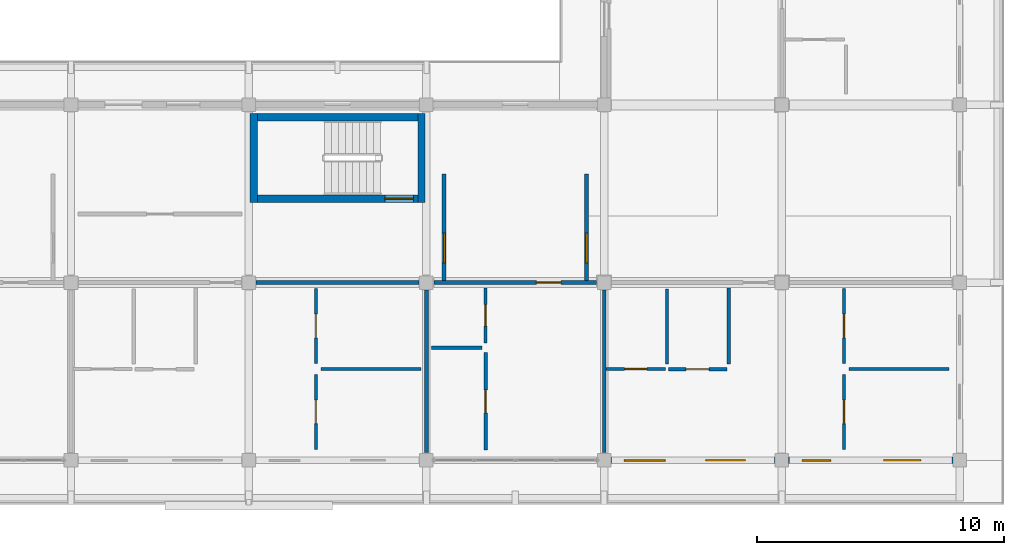
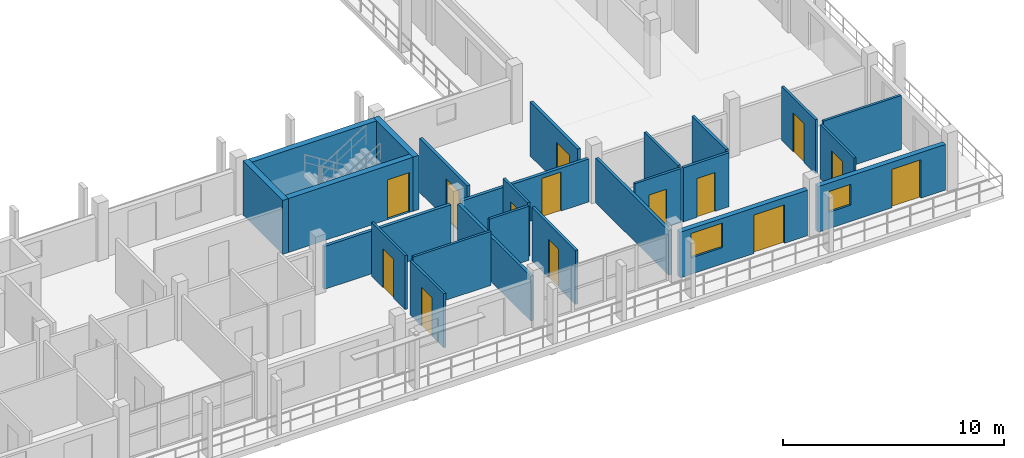
# One storey, part 46 of 73: 25 walls, 14 doors, 2 windows, 16 openings.
"""IFC4 building model written with IfcOpenShell, lengths in metres."""

from ifc_helpers import new_model, si_unit, direction, frame, frame_2d, origin, place, context, subcontext, project, spatial, rectangle, extrude, material, layer, layer_set, type_object, element, fill, save


model = new_model("IFC4")

# Units and contexts
model_context = context("Model", 3, precision=1e-05, world=origin(), true_north=direction((0.0, 1.0)))
body_context = subcontext(model_context, "Body", "Model", "MODEL_VIEW")
ifc_project = project(units=[si_unit("LENGTHUNIT", "METRE"), si_unit("AREAUNIT", "SQUARE_METRE"), si_unit("VOLUMEUNIT", "CUBIC_METRE"), si_unit("PLANEANGLEUNIT", "RADIAN"), si_unit("MASSUNIT", "GRAM", prefix="KILO")], contexts=[model_context])

# Site, building, storey
site_placement = place(None, origin())
site = spatial("IfcSite", under=ifc_project, at=site_placement, CompositionType="ELEMENT")
building_placement = place(site_placement, origin())
building = spatial("IfcBuilding", under=site, at=building_placement, Name="Suanplinth Sawtooth Commons", CompositionType="ELEMENT")
storey_placement = place(building_placement, frame((0.0, 0.0, 21.89990234375)))
storey = spatial("IfcBuildingStorey", under=building, at=storey_placement, Name="L06", CompositionType="ELEMENT", Elevation=21.89990234375)

# Wall, opening, door
ifc_material_1 = material(Name="Concrete C40/50", Category="concrete")
ifc_layer_1 = layer(ifc_material_1, 0.300048828125, Name="Standard RC stair and lift core wall 300mm")
ifc_layer_set_1 = layer_set([ifc_layer_1], Name="Concrete C40/50")
wall_type_1 = type_object("IfcWallType", Name="W-CR02", PredefinedType="SHEAR", material=ifc_layer_set_1)
wall_1_placement = place(storey_placement, frame((158.75, 10.60009765625, 0.0), z_axis=(0.0, 0.0, 1.0), x_axis=(1.0, 0.0, 0.0)))
wall_1 = element("IfcWall", 1, at=wall_1_placement, inside=storey, type_object=wall_type_1, Name="W-L06-C-C2-STS", PredefinedType="SHEAR", context=body_context, shape_type="SweptSolid", body=[
    extrude(rectangle(XDim=6.5, YDim=0.300048828125, at=frame_2d((3.25, 0.0))), origin(), (0.0, 0.0, 1.0), 2.97998046875),
])
opening_1_placement = place(wall_1_placement, frame((5.169921875, 0.0, 0.0)))
opening_1 = element("IfcOpeningElement", 2, at=opening_1_placement, cuts=wall_1, Name="Opening FD0342", PredefinedType="OPENING", context=body_context, shape_type="SweptSolid", body=[
    extrude(rectangle(XDim=1.14990234375, YDim=2.199951171875, at=frame_2d((0.574951171875, 1.10009765625))), frame((0.0, 0.1650390625, 0.0), z_axis=(0.0, -1.0, 0.0), x_axis=(1.0, 0.0, 0.0)), (0.0, 0.0, 1.0), 0.329833984375),
])
ifc_material_2 = material(Name="Teak hardwood fire-rated door assembly", Category="wood")
door_type_1 = type_object("IfcDoorType", Name="FD-01", OperationType="NOTDEFINED", PredefinedType="DOOR", material=ifc_material_2)
door_1_placement = place(opening_1_placement, origin())
door_1 = element("IfcDoor", 3, at=door_1_placement, inside=storey, type_object=door_type_1, Name="Exit Stair Fire Door FD0342", OperationType="SINGLE_SWING_LEFT", OverallHeight=2.199951171875, OverallWidth=1.14990234375, PredefinedType="DOOR", context=body_context, shape_type="SweptSolid", body=[
    extrude(rectangle(XDim=1.14990234375, YDim=2.199951171875, at=frame_2d((0.574951171875, 1.10009765625))), frame((0.0, 0.02490234375, 0.0), z_axis=(0.0, -1.0, 0.0), x_axis=(1.0, 0.0, 0.0)), (0.0, 0.0, 1.0), 0.050048828125),
])
fill(opening_1, door_1)

# Walls
wall_2_placement = place(storey_placement, frame((158.75, 13.89990234375, 0.0), z_axis=(0.0, 0.0, 1.0), x_axis=(1.0, 0.0, 0.0)))
element("IfcWall", 4, at=wall_2_placement, inside=storey, type_object=wall_type_1, Name="W-L06-C-C2-STN", PredefinedType="SHEAR", context=body_context, shape_type="SweptSolid", body=[
    extrude(rectangle(XDim=6.5, YDim=0.300048828125, at=frame_2d((3.25, 0.0))), origin(), (0.0, 0.0, 1.0), 2.97998046875),
])
for number, where, z_axis, x_axis, name in (
    (5, (158.60009765625, 10.449951171875, 0.0), (0.0, 0.0, 1.0), (0.0, 1.0, 0.0), "W-L06-C-C2-STW"),
    (6, (165.39990234375, 10.449951171875, 0.0), (0.0, 0.0, 1.0), (0.0, 1.0, 0.0), "W-L06-C-C2-STE"),
):
    element("IfcWall", number, at=place(storey_placement, frame(where, z_axis=z_axis, x_axis=x_axis)), inside=storey, type_object=wall_type_1, Name=name, PredefinedType="SHEAR", context=body_context, shape_type="SweptSolid", body=[
        extrude(rectangle(XDim=3.60009765625, YDim=0.300048828125, at=frame_2d((1.800048828125, 0.0))), origin(), (0.0, 0.0, 1.0), 2.97998046875),
    ])

# Wall, openings, door, window
ifc_material_3 = material(Name="Precast concrete C40/50", Category="concrete")
ifc_layer_2 = layer(ifc_material_3, 0.260009765625, Name="Insulated precast courtyard facade wall 260mm")
ifc_layer_set_2 = layer_set([ifc_layer_2], Name="Precast concrete C40/50")
wall_type_2 = type_object("IfcWallType", Name="W-EX02", PredefinedType="ELEMENTEDWALL", material=ifc_layer_set_2)
wall_3_placement = place(storey_placement, frame((173.074951171875, 0.0, 0.0), z_axis=(0.0, 0.0, 1.0), x_axis=(1.0, 0.0, 0.0)))
wall_3 = element("IfcWall", 7, at=wall_3_placement, inside=storey, type_object=wall_type_2, Name="Facade Wall W-L06-C-S-24-0", PredefinedType="ELEMENTEDWALL", context=body_context, shape_type="SweptSolid", body=[
    extrude(rectangle(XDim=6.650146484375, YDim=0.260009765625, at=frame_2d((3.3251953125, 0.0))), origin(), (0.0, 0.0, 1.0), 2.51513671875),
])
opening_2_placement = place(wall_3_placement, frame((3.85009765625, 0.0, 0.0)))
opening_2 = element("IfcOpeningElement", 8, at=opening_2_placement, cuts=wall_3, Name="Opening ED0524", PredefinedType="OPENING", context=body_context, shape_type="SweptSolid", body=[
    extrude(rectangle(XDim=1.60009765625, YDim=2.1201171875, at=frame_2d((0.800048828125, 1.06005859375))), frame((0.0, 0.14501953125, 0.0), z_axis=(0.0, -1.0, 0.0), x_axis=(1.0, 0.0, 0.0)), (0.0, 0.0, 1.0), 0.289794921875),
])
opening_3_placement = place(wall_3_placement, frame((0.550048828125, 0.0, 0.89990234375)))
opening_3 = element("IfcOpeningElement", 9, at=opening_3_placement, cuts=wall_3, Name="Opening W0614", PredefinedType="OPENING", context=body_context, shape_type="SweptSolid", body=[
    extrude(rectangle(XDim=1.64990234375, YDim=1.35009765625, at=frame_2d((0.824951171875, 0.675048828125))), frame((0.0, 0.14501953125, 0.0), z_axis=(0.0, -1.0, 0.0), x_axis=(1.0, 0.0, 0.0)), (0.0, 0.0, 1.0), 0.289794921875),
])
ifc_material_4 = material(Name="Anodized aluminium and low-E glass", Category="aluminium")
door_type_2 = type_object("IfcDoorType", Name="SD-02", OperationType="SLIDING_TO_RIGHT", PredefinedType="DOOR", material=ifc_material_4)
door_2_placement = place(opening_2_placement, frame((1.60009765625, 0.0, 0.0), z_axis=(0.0, 0.0, 1.0), x_axis=(-1.0, 0.0, 0.0)))
door_2 = element("IfcDoor", 10, at=door_2_placement, inside=storey, type_object=door_type_2, Name="Balcony Sliding Door L06-C-24", OperationType="SLIDING_TO_RIGHT", OverallHeight=2.1201171875, OverallWidth=1.60009765625, PredefinedType="DOOR", context=body_context, shape_type="SweptSolid", body=[
    extrude(rectangle(XDim=1.60009765625, YDim=2.1201171875, at=frame_2d((0.800048828125, 1.06005859375))), frame((0.0, 0.02490234375, 0.0), z_axis=(0.0, -1.0, 0.0), x_axis=(1.0, 0.0, 0.0)), (0.0, 0.0, 1.0), 0.050048828125),
])
fill(opening_2, door_2)
ifc_material_5 = material(Name="Thermally broken aluminium and low-E double glazing", Category="aluminium")
window_type_1 = type_object("IfcWindowType", Name="WN-19", PartitioningType="DOUBLE_PANEL_VERTICAL", PredefinedType="WINDOW", material=ifc_material_5)
window_1_placement = place(opening_3_placement, origin())
window_1 = element("IfcWindow", 11, at=window_1_placement, inside=storey, type_object=window_type_1, Name="Apartment Window L06-C-24", OverallHeight=1.35009765625, OverallWidth=1.64990234375, PartitioningType="DOUBLE_PANEL_VERTICAL", PredefinedType="WINDOW", context=body_context, shape_type="SweptSolid", body=[
    extrude(rectangle(XDim=1.64990234375, YDim=1.35009765625, at=frame_2d((0.824951171875, 0.675048828125))), frame((0.0, 0.030029296875, 0.0), z_axis=(0.0, -1.0, 0.0), x_axis=(1.0, 0.0, 0.0)), (0.0, 0.0, 1.0), 0.06005859375),
])
fill(opening_3, window_1)

wall_4_placement = place(storey_placement, frame((180.27490234375, 0.0, 0.0), z_axis=(0.0, 0.0, 1.0), x_axis=(1.0, 0.0, 0.0)))
wall_4 = element("IfcWall", 12, at=wall_4_placement, inside=storey, type_object=wall_type_2, Name="Facade Wall W-L06-C-S-25-0", PredefinedType="ELEMENTEDWALL", context=body_context, shape_type="SweptSolid", body=[
    extrude(rectangle(XDim=6.650146484375, YDim=0.260009765625, at=frame_2d((3.3251953125, 0.0))), origin(), (0.0, 0.0, 1.0), 2.51513671875),
])
opening_4_placement = place(wall_4_placement, frame((3.85009765625, 0.0, 0.0)))
opening_4 = element("IfcOpeningElement", 13, at=opening_4_placement, cuts=wall_4, Name="Opening ED0528", PredefinedType="OPENING", context=body_context, shape_type="SweptSolid", body=[
    extrude(rectangle(XDim=1.5, YDim=2.1201171875, at=frame_2d((0.75, 1.06005859375))), frame((0.0, 0.14501953125, 0.0), z_axis=(0.0, -1.0, 0.0), x_axis=(1.0, 0.0, 0.0)), (0.0, 0.0, 1.0), 0.289794921875),
])
opening_5_placement = place(wall_4_placement, frame((0.550048828125, 0.0, 0.89990234375)))
opening_5 = element("IfcOpeningElement", 14, at=opening_5_placement, cuts=wall_4, Name="Opening W0616", PredefinedType="OPENING", context=body_context, shape_type="SweptSolid", body=[
    extrude(rectangle(XDim=1.14990234375, YDim=1.14990234375, at=frame_2d((0.574951171875, 0.574951171875))), frame((0.0, 0.14501953125, 0.0), z_axis=(0.0, -1.0, 0.0), x_axis=(1.0, 0.0, 0.0)), (0.0, 0.0, 1.0), 0.289794921875),
])
door_type_3 = type_object("IfcDoorType", Name="SD-03", OperationType="SLIDING_TO_LEFT", PredefinedType="DOOR", material=ifc_material_4)
door_3_placement = place(opening_4_placement, frame((1.5, 0.0, 0.0), z_axis=(0.0, 0.0, 1.0), x_axis=(-1.0, 0.0, 0.0)))
door_3 = element("IfcDoor", 15, at=door_3_placement, inside=storey, type_object=door_type_3, Name="Balcony Sliding Door L06-C-25", OperationType="SLIDING_TO_LEFT", OverallHeight=2.1201171875, OverallWidth=1.5, PredefinedType="DOOR", context=body_context, shape_type="SweptSolid", body=[
    extrude(rectangle(XDim=1.5, YDim=2.1201171875, at=frame_2d((0.75, 1.06005859375))), frame((0.0, 0.02490234375, 0.0), z_axis=(0.0, -1.0, 0.0), x_axis=(1.0, 0.0, 0.0)), (0.0, 0.0, 1.0), 0.050048828125),
])
fill(opening_4, door_3)
window_type_2 = type_object("IfcWindowType", Name="WN-20", PartitioningType="SINGLE_PANEL", PredefinedType="WINDOW", material=ifc_material_5)
window_2_placement = place(opening_5_placement, origin())
window_2 = element("IfcWindow", 16, at=window_2_placement, inside=storey, type_object=window_type_2, Name="Apartment Window L06-C-25", OverallHeight=1.14990234375, OverallWidth=1.14990234375, PartitioningType="SINGLE_PANEL", PredefinedType="WINDOW", context=body_context, shape_type="SweptSolid", body=[
    extrude(rectangle(XDim=1.14990234375, YDim=1.14990234375, at=frame_2d((0.574951171875, 0.574951171875))), frame((0.0, 0.030029296875, 0.0), z_axis=(0.0, -1.0, 0.0), x_axis=(1.0, 0.0, 0.0)), (0.0, 0.0, 1.0), 0.06005859375),
])
fill(opening_5, window_2)

# Wall, opening, door
ifc_layer_3 = layer(ifc_material_3, 0.159912109375, Name="Fire-rated corridor and lobby wall 160mm")
ifc_layer_set_3 = layer_set([ifc_layer_3], Name="Precast concrete C40/50")
wall_type_3 = type_object("IfcWallType", Name="W-FW01", PredefinedType="PARTITIONING", material=ifc_layer_set_3)
wall_5_placement = place(storey_placement, frame((166.320068359375, 7.280029296875, 0.0), z_axis=(0.0, 0.0, 1.0), x_axis=(0.0, 1.0, 0.0)))
wall_5 = element("IfcWall", 17, at=wall_5_placement, inside=storey, type_object=wall_type_3, Name="W-L06-C-C2-LOB-W", PredefinedType="PARTITIONING", context=body_context, shape_type="SweptSolid", body=[
    extrude(rectangle(XDim=4.320068359375, YDim=0.159912109375, at=frame_2d((2.16015625, 0.0))), origin(), (0.0, 0.0, 1.0), 2.97998046875),
])
opening_6_placement = place(wall_5_placement, frame((0.719970703125, 0.0, 0.0)))
opening_6 = element("IfcOpeningElement", 18, at=opening_6_placement, cuts=wall_5, Name="Opening FD0343", PredefinedType="OPENING", context=body_context, shape_type="SweptSolid", body=[
    extrude(rectangle(XDim=1.199951171875, YDim=2.199951171875, at=frame_2d((0.60009765625, 1.10009765625))), frame((0.0, 0.0947265625, 0.0), z_axis=(0.0, -1.0, 0.0), x_axis=(1.0, 0.0, 0.0)), (0.0, 0.0, 1.0), 0.189697265625),
])
door_type_4 = type_object("IfcDoorType", Name="FD-02", OperationType="NOTDEFINED", PredefinedType="DOOR", material=ifc_material_2)
door_4_placement = place(opening_6_placement, origin())
door_4 = element("IfcDoor", 19, at=door_4_placement, inside=storey, type_object=door_type_4, Name="Lobby Fire Door FD0343", OperationType="SINGLE_SWING_RIGHT", OverallHeight=2.199951171875, OverallWidth=1.199951171875, PredefinedType="DOOR", context=body_context, shape_type="SweptSolid", body=[
    extrude(rectangle(XDim=1.199951171875, YDim=2.199951171875, at=frame_2d((0.60009765625, 1.10009765625))), frame((0.0, 0.02490234375, 0.0), z_axis=(0.0, -1.0, 0.0), x_axis=(1.0, 0.0, 0.0)), (0.0, 0.0, 1.0), 0.050048828125),
])
fill(opening_6, door_4)

wall_6_placement = place(storey_placement, frame((172.080078125, 7.280029296875, 0.0), z_axis=(0.0, 0.0, 1.0), x_axis=(0.0, 1.0, 0.0)))
wall_6 = element("IfcWall", 20, at=wall_6_placement, inside=storey, type_object=wall_type_3, Name="W-L06-C-C2-LOB-E", PredefinedType="PARTITIONING", context=body_context, shape_type="SweptSolid", body=[
    extrude(rectangle(XDim=4.320068359375, YDim=0.159912109375, at=frame_2d((2.16015625, 0.0))), origin(), (0.0, 0.0, 1.0), 2.97998046875),
])
opening_7_placement = place(wall_6_placement, frame((0.719970703125, 0.0, 0.0)))
opening_7 = element("IfcOpeningElement", 21, at=opening_7_placement, cuts=wall_6, Name="Opening FD0344", PredefinedType="OPENING", context=body_context, shape_type="SweptSolid", body=[
    extrude(rectangle(XDim=1.199951171875, YDim=2.199951171875, at=frame_2d((0.60009765625, 1.10009765625))), frame((0.0, 0.0947265625, 0.0), z_axis=(0.0, -1.0, 0.0), x_axis=(1.0, 0.0, 0.0)), (0.0, 0.0, 1.0), 0.189697265625),
])
door_5_placement = place(opening_7_placement, frame((1.199951171875, 0.0, 0.0), z_axis=(0.0, 0.0, 1.0), x_axis=(-1.0, 0.0, 0.0)))
door_5 = element("IfcDoor", 22, at=door_5_placement, inside=storey, type_object=door_type_4, Name="Lobby Fire Door FD0344", OperationType="SINGLE_SWING_LEFT", OverallHeight=2.199951171875, OverallWidth=1.199951171875, PredefinedType="DOOR", context=body_context, shape_type="SweptSolid", body=[
    extrude(rectangle(XDim=1.199951171875, YDim=2.199951171875, at=frame_2d((0.60009765625, 1.10009765625))), frame((0.0, 0.02490234375, 0.0), z_axis=(0.0, -1.0, 0.0), x_axis=(1.0, 0.0, 0.0)), (0.0, 0.0, 1.0), 0.050048828125),
])
fill(opening_7, door_5)

# Wall
wall_7_placement = place(storey_placement, frame((158.705078125, 7.199951171875, 0.0), z_axis=(0.0, 0.0, 1.0), x_axis=(1.0, 0.0, 0.0)))
element("IfcWall", 23, at=wall_7_placement, inside=storey, type_object=wall_type_3, Name="W-C-L06-U03-COR-S2", PredefinedType="PARTITIONING", context=body_context, shape_type="SweptSolid", body=[
    extrude(rectangle(XDim=6.58984375, YDim=0.159912109375, at=frame_2d((3.294921875, 0.0))), origin(), (0.0, 0.0, 1.0), 2.364990234375),
])

# Wall, opening, door
wall_8_placement = place(storey_placement, frame((165.905029296875, 7.199951171875, 0.0), z_axis=(0.0, 0.0, 1.0), x_axis=(1.0, 0.0, 0.0)))
wall_8 = element("IfcWall", 24, at=wall_8_placement, inside=storey, type_object=wall_type_3, Name="W-C-L06-U04-COR", PredefinedType="PARTITIONING", context=body_context, shape_type="SweptSolid", body=[
    extrude(rectangle(XDim=6.590087890625, YDim=0.159912109375, at=frame_2d((3.294921875, 0.0))), origin(), (0.0, 0.0, 1.0), 2.364990234375),
])
opening_8_placement = place(wall_8_placement, frame((4.14501953125, 0.0, 0.0)))
opening_8 = element("IfcOpeningElement", 25, at=opening_8_placement, cuts=wall_8, Name="Opening FD1451", PredefinedType="OPENING", context=body_context, shape_type="SweptSolid", body=[
    extrude(rectangle(XDim=1.0, YDim=2.14990234375, at=frame_2d((0.5, 1.074951171875))), frame((0.0, 0.0947265625, 0.0), z_axis=(0.0, -1.0, 0.0), x_axis=(1.0, 0.0, 0.0)), (0.0, 0.0, 1.0), 0.189697265625),
])
door_type_5 = type_object("IfcDoorType", Name="FD-03", OperationType="NOTDEFINED", PredefinedType="DOOR", material=ifc_material_2)
door_6_placement = place(opening_8_placement, frame((1.0, 0.0, 0.0), z_axis=(0.0, 0.0, 1.0), x_axis=(-1.0, 0.0, 0.0)))
door_6 = element("IfcDoor", 26, at=door_6_placement, inside=storey, type_object=door_type_5, Name="Unit Entrance Door FD1451", OperationType="SINGLE_SWING_LEFT", OverallHeight=2.14990234375, OverallWidth=1.0, PredefinedType="DOOR", context=body_context, shape_type="SweptSolid", body=[
    extrude(rectangle(XDim=1.0, YDim=2.14990234375, at=frame_2d((0.5, 1.074951171875))), frame((0.0, 0.02490234375, 0.0), z_axis=(0.0, -1.0, 0.0), x_axis=(1.0, 0.0, 0.0)), (0.0, 0.0, 1.0), 0.050048828125),
])
fill(opening_8, door_6)

# Walls
ifc_layer_4 = layer(ifc_material_3, 0.14990234375, Name="Acoustic precast party demising wall 150mm")
ifc_layer_set_4 = layer_set([ifc_layer_4], Name="Precast concrete C40/50")
wall_type_4 = type_object("IfcWallType", Name="W-FW02", PredefinedType="PARTITIONING", material=ifc_layer_set_4)
for number, where, z_axis, x_axis, name in (
    (27, (165.60009765625, 0.304931640625, 0.0), (0.0, 0.0, 1.0), (0.0, 1.0, 0.0), "W-C-L06-U03-PTY"),
    (28, (172.800048828125, 0.304931640625, 0.0), (0.0, 0.0, 1.0), (0.0, 1.0, 0.0), "W-C-L06-U04-PTY"),
):
    element("IfcWall", number, at=place(storey_placement, frame(where, z_axis=z_axis, x_axis=x_axis)), inside=storey, type_object=wall_type_4, Name=name, PredefinedType="PARTITIONING", context=body_context, shape_type="SweptSolid", body=[
        extrude(rectangle(XDim=6.590087890625, YDim=0.14990234375, at=frame_2d((3.294921875, 0.0))), origin(), (0.0, 0.0, 1.0), 2.465087890625),
    ])

# Wall, opening, door
ifc_material_6 = material(Name="Gypsum plasterboard on steel stud", Category="steel")
ifc_layer_5 = layer(ifc_material_6, 0.139892578125, Name="Fire-rated kitchen partition 140mm")
ifc_layer_set_5 = layer_set([ifc_layer_5], Name="Gypsum plasterboard on steel stud")
wall_type_5 = type_object("IfcWallType", Name="W-PT01", PredefinedType="PARTITIONING", material=ifc_layer_set_5)
wall_9_placement = place(storey_placement, frame((167.9951171875, 0.419921875, 0.0), z_axis=(0.0, 0.0, 1.0), x_axis=(0.0, 1.0, 0.0)))
wall_9 = element("IfcWall", 29, at=wall_9_placement, inside=storey, type_object=wall_type_5, Name="W-C-L06-U04-KITE", PredefinedType="PARTITIONING", context=body_context, shape_type="SweptSolid", body=[
    extrude(rectangle(XDim=3.940185546875, YDim=0.139892578125, at=frame_2d((1.97021484375, 0.0))), origin(), (0.0, 0.0, 1.0), 2.97998046875),
])
opening_9_placement = place(wall_9_placement, frame((1.5048828125, 0.0, 0.0)))
opening_9 = element("IfcOpeningElement", 30, at=opening_9_placement, cuts=wall_9, Name="Opening D1453", PredefinedType="OPENING", context=body_context, shape_type="SweptSolid", body=[
    extrude(rectangle(XDim=0.929931640625, YDim=2.139892578125, at=frame_2d((0.46484375, 1.06982421875))), frame((0.0, 0.0849609375, 0.0), z_axis=(0.0, -1.0, 0.0), x_axis=(1.0, 0.0, 0.0)), (0.0, 0.0, 1.0), 0.169677734375),
])
ifc_material_7 = material(Name="Teak hardwood", Category="wood")
door_type_6 = type_object("IfcDoorType", Name="D-19", OperationType="NOTDEFINED", PredefinedType="DOOR", material=ifc_material_7)
door_7_placement = place(opening_9_placement, origin())
door_7 = element("IfcDoor", 31, at=door_7_placement, inside=storey, type_object=door_type_6, Name="Kitchen Door D1453", OperationType="SINGLE_SWING_LEFT", OverallHeight=2.139892578125, OverallWidth=0.929931640625, PredefinedType="DOOR", context=body_context, shape_type="SweptSolid", body=[
    extrude(rectangle(XDim=0.929931640625, YDim=2.139892578125, at=frame_2d((0.46484375, 1.06982421875))), frame((0.0, 0.02490234375, 0.0), z_axis=(0.0, -1.0, 0.0), x_axis=(1.0, 0.0, 0.0)), (0.0, 0.0, 1.0), 0.050048828125),
])
fill(opening_9, door_7)

wall_10_placement = place(storey_placement, frame((175.39990234375, 3.68994140625, 0.0), z_axis=(0.0, 0.0, 1.0), x_axis=(1.0, 0.0, 0.0)))
wall_10 = element("IfcWall", 32, at=wall_10_placement, inside=storey, type_object=wall_type_5, Name="W-C-L06-U05-KIT1", PredefinedType="PARTITIONING", context=body_context, shape_type="SweptSolid", body=[
    extrude(rectangle(XDim=2.380126953125, YDim=0.139892578125, at=frame_2d((1.18994140625, 0.0))), origin(), (0.0, 0.0, 1.0), 2.97998046875),
])
opening_10_placement = place(wall_10_placement, frame((0.72509765625, 0.0, 0.0)))
opening_10 = element("IfcOpeningElement", 33, at=opening_10_placement, cuts=wall_10, Name="Opening D1456", PredefinedType="OPENING", context=body_context, shape_type="SweptSolid", body=[
    extrude(rectangle(XDim=0.929931640625, YDim=2.139892578125, at=frame_2d((0.46484375, 1.06982421875))), frame((0.0, 0.0849609375, 0.0), z_axis=(0.0, -1.0, 0.0), x_axis=(1.0, 0.0, 0.0)), (0.0, 0.0, 1.0), 0.169677734375),
])
door_8_placement = place(opening_10_placement, origin())
door_8 = element("IfcDoor", 34, at=door_8_placement, inside=storey, type_object=door_type_6, Name="Kitchen Door D1456", OperationType="SINGLE_SWING_RIGHT", OverallHeight=2.139892578125, OverallWidth=0.929931640625, PredefinedType="DOOR", context=body_context, shape_type="SweptSolid", body=[
    extrude(rectangle(XDim=0.929931640625, YDim=2.139892578125, at=frame_2d((0.46484375, 1.06982421875))), frame((0.0, 0.02490234375, 0.0), z_axis=(0.0, -1.0, 0.0), x_axis=(1.0, 0.0, 0.0)), (0.0, 0.0, 1.0), 0.050048828125),
])
fill(opening_10, door_8)

# Walls
wall_11_placement = place(storey_placement, frame((177.85009765625, 3.909912109375, 0.0), z_axis=(0.0, 0.0, 1.0), x_axis=(0.0, 1.0, 0.0)))
element("IfcWall", 35, at=wall_11_placement, inside=storey, type_object=wall_type_5, Name="W-C-L06-U05-KIT2", PredefinedType="PARTITIONING", context=body_context, shape_type="SweptSolid", body=[
    extrude(rectangle(XDim=3.06005859375, YDim=0.139892578125, at=frame_2d((1.530029296875, 0.0))), origin(), (0.0, 0.0, 1.0), 2.97998046875),
])
ifc_layer_6 = layer(ifc_material_6, 0.1298828125, Name="Moisture-resistant bathroom partition 130mm")
ifc_layer_set_6 = layer_set([ifc_layer_6], Name="Gypsum plasterboard on steel stud")
wall_type_6 = type_object("IfcWallType", Name="W-PT02", PredefinedType="PARTITIONING", material=ifc_layer_set_6)
wall_12_placement = place(storey_placement, frame((165.800048828125, 4.56005859375, 0.0), z_axis=(0.0, 0.0, 1.0), x_axis=(1.0, 0.0, 0.0)))
element("IfcWall", 36, at=wall_12_placement, inside=storey, type_object=wall_type_6, Name="W-C-L06-U04-STDIV", PredefinedType="PARTITIONING", context=body_context, shape_type="SweptSolid", body=[
    extrude(rectangle(XDim=2.050048828125, YDim=0.1298828125, at=frame_2d((1.02490234375, 0.0))), origin(), (0.0, 0.0, 1.0), 2.97998046875),
])

# Wall, opening, door
wall_13_placement = place(storey_placement, frame((167.9951171875, 4.760009765625, 0.0), z_axis=(0.0, 0.0, 1.0), x_axis=(0.0, 1.0, 0.0)))
wall_13 = element("IfcWall", 37, at=wall_13_placement, inside=storey, type_object=wall_type_6, Name="W-C-L06-U04-BTHE", PredefinedType="PARTITIONING", context=body_context, shape_type="SweptSolid", body=[
    extrude(rectangle(XDim=2.219970703125, YDim=0.1298828125, at=frame_2d((1.10986328125, 0.0))), origin(), (0.0, 0.0, 1.0), 2.97998046875),
])
opening_11_placement = place(wall_13_placement, frame((0.669921875, 0.0, 0.0)))
opening_11 = element("IfcOpeningElement", 38, at=opening_11_placement, cuts=wall_13, Name="Opening D1452", PredefinedType="OPENING", context=body_context, shape_type="SweptSolid", body=[
    extrude(rectangle(XDim=0.8798828125, YDim=2.10009765625, at=frame_2d((0.43994140625, 1.050048828125))), frame((0.0, 0.079833984375, 0.0), z_axis=(0.0, -1.0, 0.0), x_axis=(1.0, 0.0, 0.0)), (0.0, 0.0, 1.0), 0.15966796875),
])
door_type_7 = type_object("IfcDoorType", Name="D-14", OperationType="NOTDEFINED", PredefinedType="DOOR", material=ifc_material_7)
door_9_placement = place(opening_11_placement, origin())
door_9 = element("IfcDoor", 39, at=door_9_placement, inside=storey, type_object=door_type_7, Name="Bathroom Door D1452", OperationType="SINGLE_SWING_RIGHT", OverallHeight=2.10009765625, OverallWidth=0.8798828125, PredefinedType="DOOR", context=body_context, shape_type="SweptSolid", body=[
    extrude(rectangle(XDim=0.8798828125, YDim=2.10009765625, at=frame_2d((0.43994140625, 1.050048828125))), frame((0.0, 0.02490234375, 0.0), z_axis=(0.0, -1.0, 0.0), x_axis=(1.0, 0.0, 0.0)), (0.0, 0.0, 1.0), 0.050048828125),
])
fill(opening_11, door_9)

wall_14_placement = place(storey_placement, frame((172.8798828125, 3.695068359375, 0.0), z_axis=(0.0, 0.0, 1.0), x_axis=(1.0, 0.0, 0.0)))
wall_14 = element("IfcWall", 40, at=wall_14_placement, inside=storey, type_object=wall_type_6, Name="W-C-L06-U05-BTH1", PredefinedType="PARTITIONING", context=body_context, shape_type="SweptSolid", body=[
    extrude(rectangle(XDim=2.400146484375, YDim=0.1298828125, at=frame_2d((1.2001953125, 0.0))), origin(), (0.0, 0.0, 1.0), 2.97998046875),
])
opening_12_placement = place(wall_14_placement, frame((0.75, 0.0, 0.0)))
opening_12 = element("IfcOpeningElement", 41, at=opening_12_placement, cuts=wall_14, Name="Opening D1455", PredefinedType="OPENING", context=body_context, shape_type="SweptSolid", body=[
    extrude(rectangle(XDim=0.89990234375, YDim=2.10009765625, at=frame_2d((0.449951171875, 1.050048828125))), frame((0.0, 0.079833984375, 0.0), z_axis=(0.0, -1.0, 0.0), x_axis=(1.0, 0.0, 0.0)), (0.0, 0.0, 1.0), 0.15966796875),
])
door_type_8 = type_object("IfcDoorType", Name="D-01", OperationType="NOTDEFINED", PredefinedType="DOOR", material=ifc_material_7)
door_10_placement = place(opening_12_placement, origin())
door_10 = element("IfcDoor", 42, at=door_10_placement, inside=storey, type_object=door_type_8, Name="Bathroom Door D1455", OperationType="SINGLE_SWING_LEFT", OverallHeight=2.10009765625, OverallWidth=0.89990234375, PredefinedType="DOOR", context=body_context, shape_type="SweptSolid", body=[
    extrude(rectangle(XDim=0.89990234375, YDim=2.10009765625, at=frame_2d((0.449951171875, 1.050048828125))), frame((0.0, 0.02490234375, 0.0), z_axis=(0.0, -1.0, 0.0), x_axis=(1.0, 0.0, 0.0)), (0.0, 0.0, 1.0), 0.050048828125),
])
fill(opening_12, door_10)

# Wall
wall_15_placement = place(storey_placement, frame((175.344970703125, 3.89990234375, 0.0), z_axis=(0.0, 0.0, 1.0), x_axis=(0.0, 1.0, 0.0)))
element("IfcWall", 43, at=wall_15_placement, inside=storey, type_object=wall_type_6, Name="W-C-L06-U05-BTH2", PredefinedType="PARTITIONING", context=body_context, shape_type="SweptSolid", body=[
    extrude(rectangle(XDim=3.0400390625, YDim=0.1298828125, at=frame_2d((1.52001953125, 0.0))), origin(), (0.0, 0.0, 1.0), 2.97998046875),
])

# Wall, opening, door
ifc_layer_7 = layer(ifc_material_6, 0.1201171875, Name="Acoustic bedroom partition 120mm")
ifc_layer_set_7 = layer_set([ifc_layer_7], Name="Gypsum plasterboard on steel stud")
wall_type_7 = type_object("IfcWallType", Name="W-PT03", PredefinedType="PARTITIONING", material=ifc_layer_set_7)
wall_16_placement = place(storey_placement, frame((161.1201171875, 0.43994140625, 0.0), z_axis=(0.0, 0.0, 1.0), x_axis=(0.0, 1.0, 0.0)))
wall_16 = element("IfcWall", 44, at=wall_16_placement, inside=storey, type_object=wall_type_7, Name="W-C-L06-U03-BED1", PredefinedType="PARTITIONING", context=body_context, shape_type="SweptSolid", body=[
    extrude(rectangle(XDim=3.0400390625, YDim=0.1201171875, at=frame_2d((1.52001953125, 0.0))), origin(), (0.0, 0.0, 1.0), 2.97998046875),
])
opening_13_placement = place(wall_16_placement, frame((1.044921875, 0.0, 0.0)))
opening_13 = element("IfcOpeningElement", 45, at=opening_13_placement, cuts=wall_16, Name="Opening D1449", PredefinedType="OPENING", context=body_context, shape_type="SweptSolid", body=[
    extrude(rectangle(XDim=0.949951171875, YDim=2.14990234375, at=frame_2d((0.47509765625, 1.074951171875))), frame((0.0, 0.074951171875, 0.0), z_axis=(0.0, -1.0, 0.0), x_axis=(1.0, 0.0, 0.0)), (0.0, 0.0, 1.0), 0.14990234375),
])
door_type_9 = type_object("IfcDoorType", Name="D-03", OperationType="NOTDEFINED", PredefinedType="DOOR", material=ifc_material_7)
door_11_placement = place(opening_13_placement, frame((0.949951171875, 0.0, 0.0), z_axis=(0.0, 0.0, 1.0), x_axis=(-1.0, 0.0, 0.0)))
door_11 = element("IfcDoor", 46, at=door_11_placement, inside=storey, type_object=door_type_9, Name="Bedroom Door D1449", OperationType="SINGLE_SWING_LEFT", OverallHeight=2.14990234375, OverallWidth=0.949951171875, PredefinedType="DOOR", context=body_context, shape_type="SweptSolid", body=[
    extrude(rectangle(XDim=0.949951171875, YDim=2.14990234375, at=frame_2d((0.47509765625, 1.074951171875))), frame((0.0, 0.02490234375, 0.0), z_axis=(0.0, -1.0, 0.0), x_axis=(1.0, 0.0, 0.0)), (0.0, 0.0, 1.0), 0.050048828125),
])
fill(opening_13, door_11)

wall_17_placement = place(storey_placement, frame((161.1201171875, 3.919921875, 0.0), z_axis=(0.0, 0.0, 1.0), x_axis=(0.0, 1.0, 0.0)))
wall_17 = element("IfcWall", 47, at=wall_17_placement, inside=storey, type_object=wall_type_7, Name="W-C-L06-U03-BED2", PredefinedType="PARTITIONING", context=body_context, shape_type="SweptSolid", body=[
    extrude(rectangle(XDim=3.0400390625, YDim=0.1201171875, at=frame_2d((1.52001953125, 0.0))), origin(), (0.0, 0.0, 1.0), 2.97998046875),
])
opening_14_placement = place(wall_17_placement, frame((1.0400390625, 0.0, 0.0)))
opening_14 = element("IfcOpeningElement", 48, at=opening_14_placement, cuts=wall_17, Name="Opening D1450", PredefinedType="OPENING", context=body_context, shape_type="SweptSolid", body=[
    extrude(rectangle(XDim=0.9599609375, YDim=2.14990234375, at=frame_2d((0.47998046875, 1.074951171875))), frame((0.0, 0.074951171875, 0.0), z_axis=(0.0, -1.0, 0.0), x_axis=(1.0, 0.0, 0.0)), (0.0, 0.0, 1.0), 0.14990234375),
])
door_type_10 = type_object("IfcDoorType", Name="D-13", OperationType="NOTDEFINED", PredefinedType="DOOR", material=ifc_material_7)
door_12_placement = place(opening_14_placement, frame((0.9599609375, 0.0, 0.0), z_axis=(0.0, 0.0, 1.0), x_axis=(-1.0, 0.0, 0.0)))
door_12 = element("IfcDoor", 49, at=door_12_placement, inside=storey, type_object=door_type_10, Name="Second Bedroom Door D1450", OperationType="SINGLE_SWING_RIGHT", OverallHeight=2.14990234375, OverallWidth=0.9599609375, PredefinedType="DOOR", context=body_context, shape_type="SweptSolid", body=[
    extrude(rectangle(XDim=0.9599609375, YDim=2.14990234375, at=frame_2d((0.47998046875, 1.074951171875))), frame((0.0, 0.02490234375, 0.0), z_axis=(0.0, -1.0, 0.0), x_axis=(1.0, 0.0, 0.0)), (0.0, 0.0, 1.0), 0.050048828125),
])
fill(opening_14, door_12)

wall_18_placement = place(storey_placement, frame((182.52001953125, 0.43994140625, 0.0), z_axis=(0.0, 0.0, 1.0), x_axis=(0.0, 1.0, 0.0)))
wall_18 = element("IfcWall", 50, at=wall_18_placement, inside=storey, type_object=wall_type_7, Name="W-C-L06-U05-BED1", PredefinedType="PARTITIONING", context=body_context, shape_type="SweptSolid", body=[
    extrude(rectangle(XDim=3.0400390625, YDim=0.1201171875, at=frame_2d((1.52001953125, 0.0))), origin(), (0.0, 0.0, 1.0), 2.97998046875),
])
opening_15_placement = place(wall_18_placement, frame((1.044921875, 0.0, 0.0)))
opening_15 = element("IfcOpeningElement", 51, at=opening_15_placement, cuts=wall_18, Name="Opening D1457", PredefinedType="OPENING", context=body_context, shape_type="SweptSolid", body=[
    extrude(rectangle(XDim=0.949951171875, YDim=2.14990234375, at=frame_2d((0.47509765625, 1.074951171875))), frame((0.0, 0.074951171875, 0.0), z_axis=(0.0, -1.0, 0.0), x_axis=(1.0, 0.0, 0.0)), (0.0, 0.0, 1.0), 0.14990234375),
])
door_13_placement = place(opening_15_placement, frame((0.949951171875, 0.0, 0.0), z_axis=(0.0, 0.0, 1.0), x_axis=(-1.0, 0.0, 0.0)))
door_13 = element("IfcDoor", 52, at=door_13_placement, inside=storey, type_object=door_type_9, Name="Bedroom Door D1457", OperationType="SINGLE_SWING_LEFT", OverallHeight=2.14990234375, OverallWidth=0.949951171875, PredefinedType="DOOR", context=body_context, shape_type="SweptSolid", body=[
    extrude(rectangle(XDim=0.949951171875, YDim=2.14990234375, at=frame_2d((0.47509765625, 1.074951171875))), frame((0.0, 0.02490234375, 0.0), z_axis=(0.0, -1.0, 0.0), x_axis=(1.0, 0.0, 0.0)), (0.0, 0.0, 1.0), 0.050048828125),
])
fill(opening_15, door_13)

wall_19_placement = place(storey_placement, frame((182.52001953125, 3.919921875, 0.0), z_axis=(0.0, 0.0, 1.0), x_axis=(0.0, 1.0, 0.0)))
wall_19 = element("IfcWall", 53, at=wall_19_placement, inside=storey, type_object=wall_type_7, Name="W-C-L06-U05-BED2", PredefinedType="PARTITIONING", context=body_context, shape_type="SweptSolid", body=[
    extrude(rectangle(XDim=3.0400390625, YDim=0.1201171875, at=frame_2d((1.52001953125, 0.0))), origin(), (0.0, 0.0, 1.0), 2.97998046875),
])
opening_16_placement = place(wall_19_placement, frame((1.0400390625, 0.0, 0.0)))
opening_16 = element("IfcOpeningElement", 54, at=opening_16_placement, cuts=wall_19, Name="Opening D1458", PredefinedType="OPENING", context=body_context, shape_type="SweptSolid", body=[
    extrude(rectangle(XDim=0.9599609375, YDim=2.14990234375, at=frame_2d((0.47998046875, 1.074951171875))), frame((0.0, 0.074951171875, 0.0), z_axis=(0.0, -1.0, 0.0), x_axis=(1.0, 0.0, 0.0)), (0.0, 0.0, 1.0), 0.14990234375),
])
door_14_placement = place(opening_16_placement, frame((0.9599609375, 0.0, 0.0), z_axis=(0.0, 0.0, 1.0), x_axis=(-1.0, 0.0, 0.0)))
door_14 = element("IfcDoor", 55, at=door_14_placement, inside=storey, type_object=door_type_10, Name="Second Bedroom Door D1458", OperationType="SINGLE_SWING_RIGHT", OverallHeight=2.14990234375, OverallWidth=0.9599609375, PredefinedType="DOOR", context=body_context, shape_type="SweptSolid", body=[
    extrude(rectangle(XDim=0.9599609375, YDim=2.14990234375, at=frame_2d((0.47998046875, 1.074951171875))), frame((0.0, 0.02490234375, 0.0), z_axis=(0.0, -1.0, 0.0), x_axis=(1.0, 0.0, 0.0)), (0.0, 0.0, 1.0), 0.050048828125),
])
fill(opening_16, door_14)

# Walls
ifc_layer_8 = layer(ifc_material_6, 0.125, Name="Acoustic study partition 125mm")
ifc_layer_set_8 = layer_set([ifc_layer_8], Name="Gypsum plasterboard on steel stud")
wall_type_8 = type_object("IfcWallType", Name="W-PT06", PredefinedType="PARTITIONING", material=ifc_layer_set_8)
wall_20_placement = place(storey_placement, frame((161.320068359375, 3.699951171875, 0.0), z_axis=(0.0, 0.0, 1.0), x_axis=(1.0, 0.0, 0.0)))
element("IfcWall", 56, at=wall_20_placement, inside=storey, type_object=wall_type_8, Name="W-C-L06-U03-BEDDIV", PredefinedType="PARTITIONING", context=body_context, shape_type="SweptSolid", body=[
    extrude(rectangle(XDim=4.059814453125, YDim=0.125, at=frame_2d((2.02978515625, 0.0))), origin(), (0.0, 0.0, 1.0), 2.97998046875),
])
wall_21_placement = place(storey_placement, frame((182.719970703125, 3.699951171875, 0.0), z_axis=(0.0, 0.0, 1.0), x_axis=(1.0, 0.0, 0.0)))
element("IfcWall", 57, at=wall_21_placement, inside=storey, type_object=wall_type_8, Name="W-C-L06-U05-BEDDIV", PredefinedType="PARTITIONING", context=body_context, shape_type="SweptSolid", body=[
    extrude(rectangle(XDim=4.06005859375, YDim=0.125, at=frame_2d((2.030029296875, 0.0))), origin(), (0.0, 0.0, 1.0), 2.97998046875),
])

save(model, "model.ifc")
